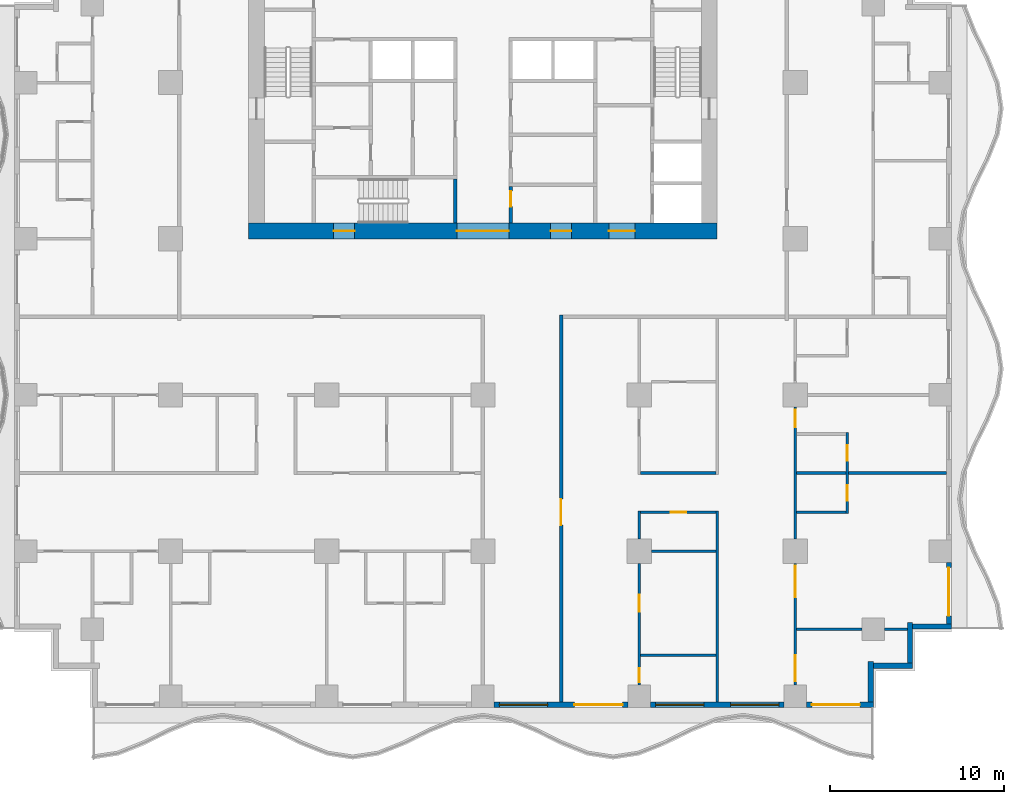
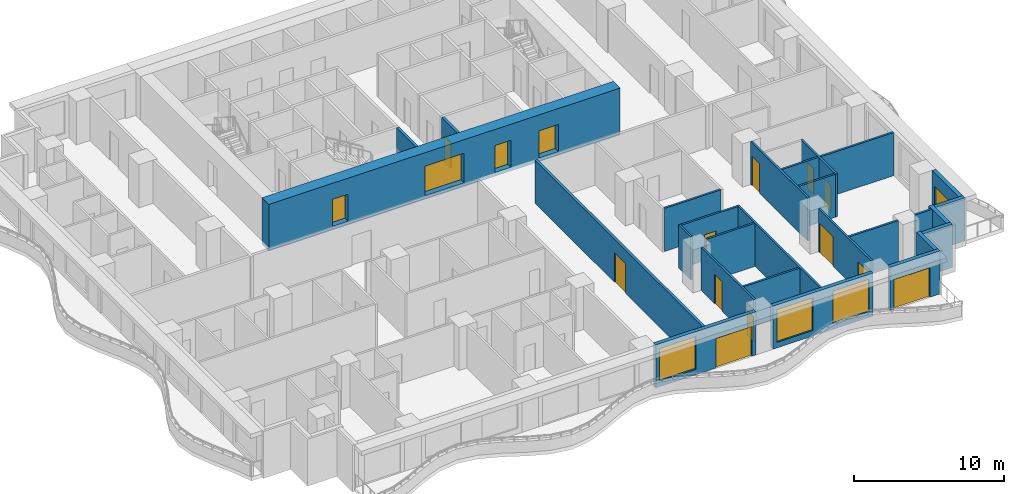
# One storey, part 3 of 14: 27 walls, 17 doors, 3 windows, 20 openings.
"""IFC4 building model written with IfcOpenShell, lengths in metres."""

import ifcopenshell
import ifcopenshell.guid

model = None  # the IFC model being written
_history = None  # IfcOwnerHistory: only IFC2X3 demands one
_inside = {}  # id of a spatial element -> (the spatial element, [elements in it])
_under = {}  # id of a project, library or spatial element -> (it, [spatial elements below it])
_declared = {}  # id of a project -> (the project, [libraries it declares])
_typed = {}  # id of a type object -> (the type object, [elements of that type])
_made_of = {}  # id of a material, layer set ... -> (it, [elements and type objects made of it])


def new_model(schema):
    """Start an empty IFC model of exactly this schema.

    Asked for "IFC4X3", IfcOpenShell would pick the latest addendum, in which some entities
    have other attributes; the version numbers below select the first issue.
    IFC2X3 requires an IfcOwnerHistory on every rooted entity: one is made here for all.
    """
    global model, _history
    if schema == "IFC4X3":
        model = ifcopenshell.file(schema_version=(4, 3, 0, 0))
    else:
        model = ifcopenshell.file(schema=schema)
    _inside.clear()
    _under.clear()
    _declared.clear()
    _typed.clear()
    _made_of.clear()
    _history = None
    if model.schema == "IFC2X3":
        org = make("IfcOrganization", Name="unknown")
        user = make(
            "IfcPersonAndOrganization",
            ThePerson=make("IfcPerson", FamilyName="unknown"),
            TheOrganization=org,
        )
        app = make(
            "IfcApplication",
            ApplicationDeveloper=org,
            Version="unknown",
            ApplicationFullName="unknown",
            ApplicationIdentifier="unknown",
        )
        _history = make(
            "IfcOwnerHistory",
            OwningUser=user,
            OwningApplication=app,
            ChangeAction="ADDED",
            CreationDate=0,
        )
    return model


def make(cls, **values):
    """One entity of the class cls with the attributes given. An attribute that is None is left unset."""
    return model.create_entity(
        cls, **{name: value for name, value in values.items() if value is not None}
    )


def rooted(cls, **values):
    """An entity with a GlobalId (a new one), such as an element, a storey or a relation."""
    return make(cls, GlobalId=ifcopenshell.guid.new(), OwnerHistory=_history, **values)


def si_unit(unit_type, name, prefix=None):
    """IfcSIUnit, for example si_unit("LENGTHUNIT", "METRE", prefix="MILLI")."""
    return make("IfcSIUnit", UnitType=unit_type, Prefix=prefix, Name=name)


def assignment(units):
    """IfcUnitAssignment: the units of a project."""
    return None if units is None else make("IfcUnitAssignment", Units=units)


def point(xyz):
    """IfcCartesianPoint."""
    return None if xyz is None else make("IfcCartesianPoint", Coordinates=xyz)


def direction(xyz):
    """IfcDirection."""
    return None if xyz is None else make("IfcDirection", DirectionRatios=xyz)


def frame(location, z_axis=None, x_axis=None):
    """IfcAxis2Placement3D, a coordinate frame: its origin and axes. An axis left out is left unset."""
    return make(
        "IfcAxis2Placement3D",
        Location=point(location),
        Axis=direction(z_axis),
        RefDirection=direction(x_axis),
    )


def frame_2d(location, x_axis=None):
    """IfcAxis2Placement2D, a coordinate frame in the plane: its origin and x axis."""
    return make(
        "IfcAxis2Placement2D", Location=point(location), RefDirection=direction(x_axis)
    )


def origin():
    """The frame at (0, 0, 0) with its axes left unset."""
    return frame((0.0, 0.0, 0.0))


def place(relative_to, where):
    """IfcLocalPlacement: puts the frame where relative to a parent placement (None: the world)."""
    return make(
        "IfcLocalPlacement", PlacementRelTo=relative_to, RelativePlacement=where
    )


def context(
    kind, dimensions, precision=None, world=None, true_north=None, identifier=None
):
    """IfcGeometricRepresentationContext, for example the 3D "Model" context."""
    return make(
        "IfcGeometricRepresentationContext",
        ContextIdentifier=identifier,
        ContextType=kind,
        CoordinateSpaceDimension=dimensions,
        Precision=precision,
        WorldCoordinateSystem=world,
        TrueNorth=true_north,
    )


def subcontext(parent, identifier, kind, view, scale=None):
    """IfcGeometricRepresentationSubContext, for example "Body" below "Model"."""
    return make(
        "IfcGeometricRepresentationSubContext",
        ContextIdentifier=identifier,
        ContextType=kind,
        ParentContext=parent,
        TargetScale=scale,
        TargetView=view,
    )


def project(units=None, contexts=None):
    """IfcProject with its units and contexts."""
    return rooted(
        "IfcProject",
        Name="project",
        RepresentationContexts=contexts,
        UnitsInContext=assignment(units),
    )


def spatial(cls, under=None, at=None, **own):
    """A site, building, storey or space (cls), placed at a placement, below another one or the project."""
    s = rooted(cls, ObjectPlacement=at, **own)
    if under is not None:
        _under.setdefault(under.id(), (under, []))[1].append(s)
    return s


def profile(cls, at=None, kind="AREA", **sizes):
    """A parametric profile (cls). Its sizes go by their IFC names, for example OverallWidth=200.0."""
    return make(cls, ProfileType=kind, Position=at, **sizes)


def rectangle(**sizes):
    """IfcRectangleProfileDef."""
    return profile("IfcRectangleProfileDef", **sizes)


def extrude(swept, where, along, depth):
    """IfcExtrudedAreaSolid: the profile swept, set in the frame where, extruded along a direction by depth."""
    return make(
        "IfcExtrudedAreaSolid",
        SweptArea=swept,
        Position=where,
        ExtrudedDirection=direction(along),
        Depth=depth,
    )


def shape(context_of_items, identifier, shape_type, items):
    """IfcShapeRepresentation: the items that make up one representation, for example the "Body"."""
    return make(
        "IfcShapeRepresentation",
        ContextOfItems=context_of_items,
        RepresentationIdentifier=identifier,
        RepresentationType=shape_type,
        Items=items,
    )


def material(Name=None, Category=None):
    """IfcMaterial."""
    return make("IfcMaterial", Name=Name, Category=Category)


def layer(
    of_material, thickness, ventilated=None, Name=None, Category=None, Priority=None
):
    """IfcMaterialLayer: one layer of a wall or slab, of a material (None: an air gap)."""
    return make(
        "IfcMaterialLayer",
        Material=of_material,
        LayerThickness=thickness,
        IsVentilated=ventilated,
        Name=Name,
        Category=Category,
        Priority=Priority,
    )


def layer_set(layers, Name=None):
    """IfcMaterialLayerSet."""
    return make("IfcMaterialLayerSet", MaterialLayers=layers, LayerSetName=Name)


def made_of(thing, what):
    """Note that an element or type object is made of a material, layer set ...; save() writes the relation."""
    if what is not None:
        _made_of.setdefault(what.id(), (what, []))[1].append(thing)
    return thing


def type_object(cls, material=None, **own):
    """A type object (cls), such as IfcWallType, which elements share."""
    return made_of(rooted(cls, **own), material)


def element(
    cls,
    number,
    at=None,
    inside=None,
    cuts=None,
    type_object=None,
    material=None,
    context=None,
    identifier="Body",
    shape_type=None,
    held_by="IfcProductDefinitionShape",
    body=None,
    shapes=None,
    **own,
):
    """One element of the class cls, such as IfcWall. Its Tag is "e" and its number.

    at: its placement. inside: the storey or other place that contains it. cuts: it is an
    opening in that element (IfcRelVoidsElement). A single representation is given by context,
    identifier, shape_type and body (its items); several are given by shapes. held_by: the class
    of the entity that holds the representations. save() writes the other relations.
    """
    e = rooted(cls, Tag="e%d" % number, ObjectPlacement=at, **own)
    if body is not None:
        shapes = [shape(context, identifier, shape_type, body)]
    if shapes is not None:
        e.Representation = make(held_by, Representations=shapes)
    if inside is not None:
        _inside.setdefault(inside.id(), (inside, []))[1].append(e)
    if cuts is not None:
        rooted(
            "IfcRelVoidsElement", RelatingBuildingElement=cuts, RelatedOpeningElement=e
        )
    if type_object is not None:
        _typed.setdefault(type_object.id(), (type_object, []))[1].append(e)
    return made_of(e, material)


def fill(opening, filler):
    """IfcRelFillsElement: the door or window that sits in an opening."""
    return rooted(
        "IfcRelFillsElement",
        RelatingOpeningElement=opening,
        RelatedBuildingElement=filler,
    )


def aggregate(whole, parts):
    """IfcRelAggregates: a whole, such as a stair, and the parts it consists of."""
    return rooted("IfcRelAggregates", RelatingObject=whole, RelatedObjects=parts)


def save(model, path):
    """Write the relations noted so far, then the file.

    IfcRelAggregates (storeys below a building ...), IfcRelContainedInSpatialStructure (elements
    in a storey), IfcRelDefinesByType, IfcRelAssociatesMaterial and IfcRelDeclares: one each for
    every whole, place, type object, material and project.
    """
    for whole, parts in _under.values():
        aggregate(whole, parts)
    for where, things in _inside.values():
        rooted(
            "IfcRelContainedInSpatialStructure",
            RelatedElements=things,
            RelatingStructure=where,
        )
    for kind, things in _typed.values():
        rooted("IfcRelDefinesByType", RelatedObjects=things, RelatingType=kind)
    for what, things in _made_of.values():
        rooted("IfcRelAssociatesMaterial", RelatedObjects=things, RelatingMaterial=what)
    for by, libraries in _declared.values():
        rooted("IfcRelDeclares", RelatingContext=by, RelatedDefinitions=libraries)
    model.write(path)


model = new_model("IFC4")

# Units and contexts
model_context = context("Model", 3, precision=1e-05, world=origin(), true_north=direction((0.0, 1.0)))
body_context = subcontext(model_context, "Body", "Model", "MODEL_VIEW")
ifc_project = project(units=[si_unit("LENGTHUNIT", "METRE"), si_unit("AREAUNIT", "SQUARE_METRE"), si_unit("VOLUMEUNIT", "CUBIC_METRE"), si_unit("PLANEANGLEUNIT", "RADIAN"), si_unit("MASSUNIT", "GRAM", prefix="KILO")], contexts=[model_context])

# Site, building, storey
site_placement = place(None, origin())
site = spatial("IfcSite", under=ifc_project, at=site_placement, CompositionType="ELEMENT")
building_placement = place(site_placement, origin())
building = spatial("IfcBuilding", under=site, at=building_placement, Name="Orbiselva Terraces", CompositionType="ELEMENT")
storey_placement = place(building_placement, frame((0.0, 0.0, 84.6)))
storey = spatial("IfcBuildingStorey", under=building, at=storey_placement, Name="L21", CompositionType="ELEMENT", Elevation=84.6)

# Wall, openings, doors
ifc_material_1 = material(Name="Concrete C80/95", Category="concrete")
ifc_layer_1 = layer(ifc_material_1, 0.9)
ifc_layer_set_1 = layer_set([ifc_layer_1], Name="Concrete C80/95")
wall_type_1 = type_object("IfcWallType", Name="CORE WALL 900", PredefinedType="SHEAR", material=ifc_layer_set_1)
wall_1_placement = place(storey_placement, frame((-13.5, 4.95, -0.3), z_axis=(0.0, 0.0, 1.0), x_axis=(1.0, 0.0, 0.0)))
wall_1 = element("IfcWall", 1, at=wall_1_placement, inside=storey, type_object=wall_type_1, Name="Core wall L21 south", PredefinedType="SHEAR", context=body_context, shape_type="SweptSolid", body=[
    extrude(rectangle(XDim=27.0, YDim=0.9, at=frame_2d((13.5, 0.0))), origin(), (0.0, 0.0, 1.0), 3.8),
])
opening_1_placement = place(wall_1_placement, frame((12.0, 0.0, 0.3)))
opening_1 = element("IfcOpeningElement", 2, at=opening_1_placement, cuts=wall_1, Name="Opening DL3000", PredefinedType="OPENING", context=body_context, shape_type="SweptSolid", body=[
    extrude(rectangle(XDim=3.0, YDim=2.4, at=frame_2d((1.5, 1.2))), frame((0.0, 0.46, 0.0), z_axis=(0.0, -1.0, 0.0), x_axis=(1.0, 0.0, 0.0)), (0.0, 0.0, 1.0), 0.92),
])
opening_2_placement = place(wall_1_placement, frame((4.9, 0.0, 0.3)))
opening_2 = element("IfcOpeningElement", 3, at=opening_2_placement, cuts=wall_1, Name="Opening DS1200", PredefinedType="OPENING", context=body_context, shape_type="SweptSolid", body=[
    extrude(rectangle(XDim=1.2, YDim=2.2, at=frame_2d((0.6, 1.1))), frame((0.0, 0.46, 0.0), z_axis=(0.0, -1.0, 0.0), x_axis=(1.0, 0.0, 0.0)), (0.0, 0.0, 1.0), 0.92),
])
opening_3_placement = place(wall_1_placement, frame((20.75, 0.0, 0.3)))
opening_3 = element("IfcOpeningElement", 4, at=opening_3_placement, cuts=wall_1, Name="Opening DF1500", PredefinedType="OPENING", context=body_context, shape_type="SweptSolid", body=[
    extrude(rectangle(XDim=1.5, YDim=2.2, at=frame_2d((0.75, 1.1))), frame((0.0, 0.46, 0.0), z_axis=(0.0, -1.0, 0.0), x_axis=(1.0, 0.0, 0.0)), (0.0, 0.0, 1.0), 0.92),
])
opening_4_placement = place(wall_1_placement, frame((17.4, 0.0, 0.3)))
opening_4 = element("IfcOpeningElement", 5, at=opening_4_placement, cuts=wall_1, Name="Opening DV1200", PredefinedType="OPENING", context=body_context, shape_type="SweptSolid", body=[
    extrude(rectangle(XDim=1.2, YDim=2.2, at=frame_2d((0.6, 1.1))), frame((0.0, 0.46, 0.0), z_axis=(0.0, -1.0, 0.0), x_axis=(1.0, 0.0, 0.0)), (0.0, 0.0, 1.0), 0.92),
])
ifc_material_2 = material(Name="Steel fire door", Category="steel")
door_type_1 = type_object("IfcDoorType", Name="FFL DOOR 1500", OperationType="DOUBLE_DOOR_SINGLE_SWING", PredefinedType="DOOR", material=ifc_material_2)
door_1_placement = place(opening_3_placement, frame((1.5, 0.0, 0.0), z_axis=(0.0, 0.0, 1.0), x_axis=(-1.0, 0.0, 0.0)))
door_1 = element("IfcDoor", 6, at=door_1_placement, inside=storey, type_object=door_type_1, Name="L21 FIRE-FIGHTING LOBBY door", OperationType="DOUBLE_DOOR_SINGLE_SWING", OverallHeight=2.2, OverallWidth=1.5, PredefinedType="DOOR", context=body_context, shape_type="SweptSolid", body=[
    extrude(rectangle(XDim=1.5, YDim=2.2, at=frame_2d((0.75, 1.1))), frame((0.0, 0.025, 0.0), z_axis=(0.0, -1.0, 0.0), x_axis=(1.0, 0.0, 0.0)), (0.0, 0.0, 1.0), 0.05),
])
fill(opening_3, door_1)
door_type_2 = type_object("IfcDoorType", Name="LOBBY DOOR 3000", OperationType="DOUBLE_DOOR_SINGLE_SWING", PredefinedType="DOOR", material=ifc_material_2)
door_2_placement = place(opening_1_placement, frame((3.0, 0.0, 0.0), z_axis=(0.0, 0.0, 1.0), x_axis=(-1.0, 0.0, 0.0)))
door_2 = element("IfcDoor", 7, at=door_2_placement, inside=storey, type_object=door_type_2, Name="L21 LIFT LOBBY door", OperationType="DOUBLE_DOOR_SINGLE_SWING", OverallHeight=2.4, OverallWidth=3.0, PredefinedType="DOOR", context=body_context, shape_type="SweptSolid", body=[
    extrude(rectangle(XDim=3.0, YDim=2.4, at=frame_2d((1.5, 1.2))), frame((0.0, 0.025, 0.0), z_axis=(0.0, -1.0, 0.0), x_axis=(1.0, 0.0, 0.0)), (0.0, 0.0, 1.0), 0.05),
])
fill(opening_1, door_2)
door_type_3 = type_object("IfcDoorType", Name="SERVICE DOOR 1200", OperationType="NOTDEFINED", PredefinedType="DOOR", material=ifc_material_2)
door_3_placement = place(opening_4_placement, frame((1.2, 0.0, 0.0), z_axis=(0.0, 0.0, 1.0), x_axis=(-1.0, 0.0, 0.0)))
door_3 = element("IfcDoor", 8, at=door_3_placement, inside=storey, type_object=door_type_3, Name="L21 ELECTRICAL RISER ROOM door", OperationType="SINGLE_SWING_RIGHT", OverallHeight=2.2, OverallWidth=1.2, PredefinedType="DOOR", context=body_context, shape_type="SweptSolid", body=[
    extrude(rectangle(XDim=1.2, YDim=2.2, at=frame_2d((0.6, 1.1))), frame((0.0, 0.025, 0.0), z_axis=(0.0, -1.0, 0.0), x_axis=(1.0, 0.0, 0.0)), (0.0, 0.0, 1.0), 0.05),
])
fill(opening_4, door_3)
door_type_4 = type_object("IfcDoorType", Name="STAIR DOOR 1200", OperationType="NOTDEFINED", PredefinedType="DOOR", material=ifc_material_2)
door_4_placement = place(opening_2_placement, frame((1.2, 0.0, 0.0), z_axis=(0.0, 0.0, 1.0), x_axis=(-1.0, 0.0, 0.0)))
door_4 = element("IfcDoor", 9, at=door_4_placement, inside=storey, type_object=door_type_4, Name="L21 EXIT STAIR S3 door", OperationType="SINGLE_SWING_LEFT", OverallHeight=2.2, OverallWidth=1.2, PredefinedType="DOOR", context=body_context, shape_type="SweptSolid", body=[
    extrude(rectangle(XDim=1.2, YDim=2.2, at=frame_2d((0.6, 1.1))), frame((0.0, 0.025, 0.0), z_axis=(0.0, -1.0, 0.0), x_axis=(1.0, 0.0, 0.0)), (0.0, 0.0, 1.0), 0.05),
])
fill(opening_2, door_4)

# Wall, opening, door
ifc_material_3 = material(Name="Masonry blockwork", Category="masonry")
ifc_layer_2 = layer(ifc_material_3, 0.2)
ifc_layer_set_2 = layer_set([ifc_layer_2], Name="Masonry blockwork")
wall_type_2 = type_object("IfcWallType", Name="CORE-WALL-PARTITION-200", PredefinedType="PARTITIONING", material=ifc_layer_set_2)
wall_2_placement = place(storey_placement, frame((1.6, 7.5, 0.0), z_axis=(0.0, 0.0, 1.0), x_axis=(0.0, -1.0, 0.0)))
wall_2 = element("IfcWall", 10, at=wall_2_placement, inside=storey, type_object=wall_type_2, Name="L21 core wall 29", PredefinedType="PARTITIONING", context=body_context, shape_type="SweptSolid", body=[
    extrude(rectangle(XDim=2.1, YDim=0.2, at=frame_2d((1.05, 0.0))), origin(), (0.0, 0.0, 1.0), 3.5),
])
opening_5_placement = place(wall_2_placement, frame((0.25, 0.0, 0.0)))
opening_5 = element("IfcOpeningElement", 11, at=opening_5_placement, cuts=wall_2, Name="Opening DR900", PredefinedType="OPENING", context=body_context, shape_type="SweptSolid", body=[
    extrude(rectangle(XDim=0.9, YDim=2.1, at=frame_2d((0.45, 1.05))), frame((0.0, 0.11, 0.0), z_axis=(0.0, -1.0, 0.0), x_axis=(1.0, 0.0, 0.0)), (0.0, 0.0, 1.0), 0.22),
])
door_type_5 = type_object("IfcDoorType", Name="ROOM DOOR 900", OperationType="NOTDEFINED", PredefinedType="DOOR", material=ifc_material_2)
door_5_placement = place(opening_5_placement, origin())
door_5 = element("IfcDoor", 12, at=door_5_placement, inside=storey, type_object=door_type_5, Name="L21 ELECTRICAL RISER ROOM door", OperationType="SINGLE_SWING_LEFT", OverallHeight=2.1, OverallWidth=0.9, PredefinedType="DOOR", context=body_context, shape_type="SweptSolid", body=[
    extrude(rectangle(XDim=0.9, YDim=2.1, at=frame_2d((0.45, 1.05))), frame((0.0, 0.025, 0.0), z_axis=(0.0, -1.0, 0.0), x_axis=(1.0, 0.0, 0.0)), (0.0, 0.0, 1.0), 0.05),
])
fill(opening_5, door_5)

# Wall
ifc_material_4 = material(Name="Concrete C60/75", Category="concrete")
ifc_layer_3 = layer(ifc_material_4, 0.2)
ifc_layer_set_3 = layer_set([ifc_layer_3], Name="Concrete C60/75")
wall_type_3 = type_object("IfcWallType", Name="CORE-WALL-SHEAR-200", PredefinedType="SHEAR", material=ifc_layer_set_3)
wall_3_placement = place(storey_placement, frame((-1.6, 5.4, 0.0), z_axis=(0.0, 0.0, 1.0), x_axis=(0.0, 1.0, 0.0)))
element("IfcWall", 13, at=wall_3_placement, inside=storey, type_object=wall_type_3, Name="L21 core wall 25", PredefinedType="SHEAR", context=body_context, shape_type="SweptSolid", body=[
    extrude(rectangle(XDim=2.55, YDim=0.2, at=frame_2d((1.275, 0.0))), origin(), (0.0, 0.0, 1.0), 3.5),
])

# Wall, openings, door, window
ifc_material_5 = material(Name="Terracotta cladding on masonry backing", Category="masonry")
ifc_layer_4 = layer(ifc_material_5, 0.3)
ifc_layer_set_4 = layer_set([ifc_layer_4], Name="Terracotta cladding on masonry backing")
wall_type_4 = type_object("IfcWallType", Name="ENV-WALL-TERRACOTTA-300", PredefinedType="SOLIDWALL", material=ifc_layer_set_4)
wall_4_placement = place(storey_placement, frame((8.35, -22.35, 0.0), z_axis=(0.0, 0.0, 1.0), x_axis=(-1.0, 0.0, 0.0)))
wall_4 = element("IfcWall", 14, at=wall_4_placement, inside=storey, type_object=wall_type_4, Name="Facade wall L21 S", PredefinedType="SOLIDWALL", context=body_context, shape_type="SweptSolid", body=[
    extrude(rectangle(XDim=7.7, YDim=0.3, at=frame_2d((3.85, 0.0))), origin(), (0.0, 0.0, 1.0), 3.5),
])
opening_6_placement = place(wall_4_placement, frame((4.625, 0.0, 0.45)))
opening_6 = element("IfcOpeningElement", 15, at=opening_6_placement, cuts=wall_4, Name="Opening WN6", PredefinedType="OPENING", context=body_context, shape_type="SweptSolid", body=[
    extrude(rectangle(XDim=2.775, YDim=2.65, at=frame_2d((1.3875, 1.325))), frame((0.0, 0.16, 0.0), z_axis=(0.0, -1.0, 0.0), x_axis=(1.0, 0.0, 0.0)), (0.0, 0.0, 1.0), 0.32),
])
opening_7_placement = place(wall_4_placement, frame((0.3, 0.0, 0.0)))
opening_7 = element("IfcOpeningElement", 16, at=opening_7_placement, cuts=wall_4, Name="Opening Z2-B-E03", PredefinedType="OPENING", context=body_context, shape_type="SweptSolid", body=[
    extrude(rectangle(XDim=2.775, YDim=2.4, at=frame_2d((1.3875, 1.2))), frame((0.0, 0.16, 0.0), z_axis=(0.0, -1.0, 0.0), x_axis=(1.0, 0.0, 0.0)), (0.0, 0.0, 1.0), 0.32),
])
ifc_material_6 = material(Name="Clear low-e glazing in aluminium frame", Category="aluminium")
door_type_6 = type_object("IfcDoorType", Name="BALCONY DOOR 2775 X 2400", OperationType="DOUBLE_DOOR_SLIDING", PredefinedType="DOOR", material=ifc_material_6)
door_6_placement = place(opening_7_placement, origin())
door_6 = element("IfcDoor", 17, at=door_6_placement, inside=storey, type_object=door_type_6, Name="Z2-B-E03", OperationType="SINGLE_SWING_LEFT", OverallHeight=2.4, OverallWidth=2.775, PredefinedType="DOOR", context=body_context, shape_type="SweptSolid", body=[
    extrude(rectangle(XDim=2.775, YDim=2.4, at=frame_2d((1.3875, 1.2))), frame((0.0, 0.025, 0.0), z_axis=(0.0, -1.0, 0.0), x_axis=(1.0, 0.0, 0.0)), (0.0, 0.0, 1.0), 0.05),
])
fill(opening_7, door_6)
window_type = type_object("IfcWindowType", Name="WINDOW 2775 X 2650 S450", PartitioningType="TRIPLE_PANEL_VERTICAL", PredefinedType="WINDOW", material=ifc_material_6)
window_1_placement = place(opening_6_placement, origin())
window_1 = element("IfcWindow", 18, at=window_1_placement, inside=storey, type_object=window_type, Name="Window L21 S", OverallHeight=2.65, OverallWidth=2.775, PartitioningType="SINGLE_PANEL", PredefinedType="WINDOW", context=body_context, shape_type="SweptSolid", body=[
    extrude(rectangle(XDim=2.775, YDim=2.65, at=frame_2d((1.3875, 1.325))), frame((0.0, 0.03, 0.0), z_axis=(0.0, -1.0, 0.0), x_axis=(1.0, 0.0, 0.0)), (0.0, 0.0, 1.0), 0.06),
])
fill(opening_6, window_1)

# Wall, openings, windows
wall_5_placement = place(storey_placement, frame((17.35, -22.35, 0.0), z_axis=(0.0, 0.0, 1.0), x_axis=(-1.0, 0.0, 0.0)))
wall_5 = element("IfcWall", 19, at=wall_5_placement, inside=storey, type_object=wall_type_4, Name="Facade wall L21 S", PredefinedType="SOLIDWALL", context=body_context, shape_type="SweptSolid", body=[
    extrude(rectangle(XDim=7.7, YDim=0.3, at=frame_2d((3.85, 0.0))), origin(), (0.0, 0.0, 1.0), 3.5),
])
opening_8_placement = place(wall_5_placement, frame((4.625, 0.0, 0.45)))
opening_8 = element("IfcOpeningElement", 20, at=opening_8_placement, cuts=wall_5, Name="Opening WN6", PredefinedType="OPENING", context=body_context, shape_type="SweptSolid", body=[
    extrude(rectangle(XDim=2.775, YDim=2.65, at=frame_2d((1.3875, 1.325))), frame((0.0, 0.16, 0.0), z_axis=(0.0, -1.0, 0.0), x_axis=(1.0, 0.0, 0.0)), (0.0, 0.0, 1.0), 0.32),
])
opening_9_placement = place(wall_5_placement, frame((0.3, 0.0, 0.45)))
opening_9 = element("IfcOpeningElement", 21, at=opening_9_placement, cuts=wall_5, Name="Opening WN6", PredefinedType="OPENING", context=body_context, shape_type="SweptSolid", body=[
    extrude(rectangle(XDim=2.775, YDim=2.65, at=frame_2d((1.3875, 1.325))), frame((0.0, 0.16, 0.0), z_axis=(0.0, -1.0, 0.0), x_axis=(1.0, 0.0, 0.0)), (0.0, 0.0, 1.0), 0.32),
])
window_2_placement = place(opening_8_placement, origin())
window_2 = element("IfcWindow", 22, at=window_2_placement, inside=storey, type_object=window_type, Name="Window L21 S", OverallHeight=2.65, OverallWidth=2.775, PartitioningType="SINGLE_PANEL", PredefinedType="WINDOW", context=body_context, shape_type="SweptSolid", body=[
    extrude(rectangle(XDim=2.775, YDim=2.65, at=frame_2d((1.3875, 1.325))), frame((0.0, 0.03, 0.0), z_axis=(0.0, -1.0, 0.0), x_axis=(1.0, 0.0, 0.0)), (0.0, 0.0, 1.0), 0.06),
])
fill(opening_8, window_2)
window_3_placement = place(opening_9_placement, origin())
window_3 = element("IfcWindow", 23, at=window_3_placement, inside=storey, type_object=window_type, Name="Window L21 S", OverallHeight=2.65, OverallWidth=2.775, PartitioningType="SINGLE_PANEL", PredefinedType="WINDOW", context=body_context, shape_type="SweptSolid", body=[
    extrude(rectangle(XDim=2.775, YDim=2.65, at=frame_2d((1.3875, 1.325))), frame((0.0, 0.03, 0.0), z_axis=(0.0, -1.0, 0.0), x_axis=(1.0, 0.0, 0.0)), (0.0, 0.0, 1.0), 0.06),
])
fill(opening_9, window_3)

# Wall, opening, door
wall_6_placement = place(storey_placement, frame((22.5, -22.35, 0.0), z_axis=(0.0, 0.0, 1.0), x_axis=(-1.0, 0.0, 0.0)))
wall_6 = element("IfcWall", 24, at=wall_6_placement, inside=storey, type_object=wall_type_4, Name="Facade wall L21 S", PredefinedType="SOLIDWALL", context=body_context, shape_type="SweptSolid", body=[
    extrude(rectangle(XDim=3.85, YDim=0.3, at=frame_2d((1.925, 0.0))), origin(), (0.0, 0.0, 1.0), 3.5),
])
opening_10_placement = place(wall_6_placement, frame((0.775, 0.0, 0.0)))
opening_10 = element("IfcOpeningElement", 25, at=opening_10_placement, cuts=wall_6, Name="Opening Z2-B-E15", PredefinedType="OPENING", context=body_context, shape_type="SweptSolid", body=[
    extrude(rectangle(XDim=2.775, YDim=2.4, at=frame_2d((1.3875, 1.2))), frame((0.0, 0.16, 0.0), z_axis=(0.0, -1.0, 0.0), x_axis=(1.0, 0.0, 0.0)), (0.0, 0.0, 1.0), 0.32),
])
door_7_placement = place(opening_10_placement, origin())
door_7 = element("IfcDoor", 26, at=door_7_placement, inside=storey, type_object=door_type_6, Name="Z2-B-E15", OperationType="SINGLE_SWING_LEFT", OverallHeight=2.4, OverallWidth=2.775, PredefinedType="DOOR", context=body_context, shape_type="SweptSolid", body=[
    extrude(rectangle(XDim=2.775, YDim=2.4, at=frame_2d((1.3875, 1.2))), frame((0.0, 0.025, 0.0), z_axis=(0.0, -1.0, 0.0), x_axis=(1.0, 0.0, 0.0)), (0.0, 0.0, 1.0), 0.05),
])
fill(opening_10, door_7)

# Walls
wall_7_placement = place(storey_placement, frame((22.35, -19.85, 0.0), z_axis=(0.0, 0.0, 1.0), x_axis=(0.0, -1.0, 0.0)))
element("IfcWall", 27, at=wall_7_placement, inside=storey, type_object=wall_type_4, Name="Facade wall L21 STEP", PredefinedType="SOLIDWALL", context=body_context, shape_type="SweptSolid", body=[
    extrude(rectangle(XDim=2.35, YDim=0.3, at=frame_2d((1.175, 0.0))), origin(), (0.0, 0.0, 1.0), 3.5),
])
wall_8_placement = place(storey_placement, frame((24.75, -20.1, 0.0), z_axis=(0.0, 0.0, 1.0), x_axis=(-1.0, 0.0, 0.0)))
element("IfcWall", 28, at=wall_8_placement, inside=storey, type_object=wall_type_4, Name="Facade wall L21 STEP", PredefinedType="SOLIDWALL", context=body_context, shape_type="SweptSolid", body=[
    extrude(rectangle(XDim=2.25, YDim=0.3, at=frame_2d((1.125, 0.0))), origin(), (0.0, 0.0, 1.0), 3.5),
])
wall_9_placement = place(storey_placement, frame((24.6, -17.6, 0.0), z_axis=(0.0, 0.0, 1.0), x_axis=(0.0, -1.0, 0.0)))
element("IfcWall", 29, at=wall_9_placement, inside=storey, type_object=wall_type_4, Name="Facade wall L21 STEP", PredefinedType="SOLIDWALL", context=body_context, shape_type="SweptSolid", body=[
    extrude(rectangle(XDim=2.35, YDim=0.3, at=frame_2d((1.175, 0.0))), origin(), (0.0, 0.0, 1.0), 3.5),
])
wall_10_placement = place(storey_placement, frame((27.0, -17.85, 0.0), z_axis=(0.0, 0.0, 1.0), x_axis=(-1.0, 0.0, 0.0)))
element("IfcWall", 30, at=wall_10_placement, inside=storey, type_object=wall_type_4, Name="Facade wall L21 STEP", PredefinedType="SOLIDWALL", context=body_context, shape_type="SweptSolid", body=[
    extrude(rectangle(XDim=2.25, YDim=0.3, at=frame_2d((1.125, 0.0))), origin(), (0.0, 0.0, 1.0), 3.5),
])

# Wall, opening, door
wall_11_placement = place(storey_placement, frame((26.85, -14.15, 0.0), z_axis=(0.0, 0.0, 1.0), x_axis=(0.0, -1.0, 0.0)))
wall_11 = element("IfcWall", 31, at=wall_11_placement, inside=storey, type_object=wall_type_4, Name="Facade wall L21 E", PredefinedType="SOLIDWALL", context=body_context, shape_type="SweptSolid", body=[
    extrude(rectangle(XDim=3.55, YDim=0.3, at=frame_2d((1.775, 0.0))), origin(), (0.0, 0.0, 1.0), 3.5),
])
opening_11_placement = place(wall_11_placement, frame((0.3, 0.0, 0.0)))
opening_11 = element("IfcOpeningElement", 32, at=opening_11_placement, cuts=wall_11, Name="Opening Z2-B-E05", PredefinedType="OPENING", context=body_context, shape_type="SweptSolid", body=[
    extrude(rectangle(XDim=2.775, YDim=2.4, at=frame_2d((1.3875, 1.2))), frame((0.0, 0.16, 0.0), z_axis=(0.0, -1.0, 0.0), x_axis=(1.0, 0.0, 0.0)), (0.0, 0.0, 1.0), 0.32),
])
door_8_placement = place(opening_11_placement, origin())
door_8 = element("IfcDoor", 33, at=door_8_placement, inside=storey, type_object=door_type_6, Name="Z2-B-E05", OperationType="SINGLE_SWING_LEFT", OverallHeight=2.4, OverallWidth=2.775, PredefinedType="DOOR", context=body_context, shape_type="SweptSolid", body=[
    extrude(rectangle(XDim=2.775, YDim=2.4, at=frame_2d((1.3875, 1.2))), frame((0.0, 0.025, 0.0), z_axis=(0.0, -1.0, 0.0), x_axis=(1.0, 0.0, 0.0)), (0.0, 0.0, 1.0), 0.05),
])
fill(opening_11, door_8)

ifc_material_7 = material(Name="Plasterboard on steel stud partition", Category="steel")
ifc_layer_5 = layer(ifc_material_7, 0.2)
ifc_layer_set_5 = layer_set([ifc_layer_5], Name="Plasterboard on steel stud partition")
wall_type_5 = type_object("IfcWallType", Name="UNIT-ENTRANCE-WALL-200", PredefinedType="PARTITIONING", material=ifc_layer_set_5)
wall_12_placement = place(storey_placement, frame((4.5, 0.1, 0.0), z_axis=(0.0, 0.0, 1.0), x_axis=(0.0, -1.0, 0.0)))
wall_12 = element("IfcWall", 34, at=wall_12_placement, inside=storey, type_object=wall_type_5, Name="PARTITION L21-068", PredefinedType="PARTITIONING", context=body_context, shape_type="SweptSolid", body=[
    extrude(rectangle(XDim=22.3, YDim=0.2, at=frame_2d((11.15, 0.0))), origin(), (0.0, 0.0, 1.0), 3.5),
])
opening_12_placement = place(wall_12_placement, frame((10.6, 0.0, 0.0)))
opening_12 = element("IfcOpeningElement", 35, at=opening_12_placement, cuts=wall_12, Name="Opening Z2-B-32", PredefinedType="OPENING", context=body_context, shape_type="SweptSolid", body=[
    extrude(rectangle(XDim=1.5, YDim=2.4, at=frame_2d((0.75, 1.2))), frame((0.0, 0.11, 0.0), z_axis=(0.0, -1.0, 0.0), x_axis=(1.0, 0.0, 0.0)), (0.0, 0.0, 1.0), 0.22),
])
ifc_material_8 = material(Name="Painted timber door leaf", Category="wood")
door_type_7 = type_object("IfcDoorType", Name="ENTRANCE DOUBLE DOOR 1500", OperationType="NOTDEFINED", PredefinedType="DOOR", material=ifc_material_8)
door_9_placement = place(opening_12_placement, origin())
door_9 = element("IfcDoor", 36, at=door_9_placement, inside=storey, type_object=door_type_7, Name="Z2-B-32", OperationType="DOUBLE_DOOR_SINGLE_SWING", OverallHeight=2.4, OverallWidth=1.5, PredefinedType="DOOR", context=body_context, shape_type="SweptSolid", body=[
    extrude(rectangle(XDim=1.5, YDim=2.4, at=frame_2d((0.75, 1.2))), frame((0.0, 0.025, 0.0), z_axis=(0.0, -1.0, 0.0), x_axis=(1.0, 0.0, 0.0)), (0.0, 0.0, 1.0), 0.05),
])
fill(opening_12, door_9)

# Walls
ifc_layer_6 = layer(ifc_material_7, 0.15)
ifc_layer_set_6 = layer_set([ifc_layer_6], Name="Plasterboard on steel stud partition")
wall_type_6 = type_object("IfcWallType", Name="UNIT-PARTITION-150", PredefinedType="PARTITIONING", material=ifc_layer_set_6)
wall_13_placement = place(storey_placement, frame((9.075, -19.5, 0.0), z_axis=(0.0, 0.0, 1.0), x_axis=(1.0, 0.0, 0.0)))
element("IfcWall", 37, at=wall_13_placement, inside=storey, type_object=wall_type_6, Name="PARTITION L21-001", PredefinedType="PARTITIONING", context=body_context, shape_type="SweptSolid", body=[
    extrude(rectangle(XDim=4.35, YDim=0.15, at=frame_2d((2.175, 0.0))), origin(), (0.0, 0.0, 1.0), 3.5),
])
wall_14_placement = place(storey_placement, frame((18.075, -18.0, 0.0), z_axis=(0.0, 0.0, 1.0), x_axis=(1.0, 0.0, 0.0)))
element("IfcWall", 38, at=wall_14_placement, inside=storey, type_object=wall_type_6, Name="PARTITION L21-002", PredefinedType="PARTITIONING", context=body_context, shape_type="SweptSolid", body=[
    extrude(rectangle(XDim=3.775, YDim=0.15, at=frame_2d((1.8875, 0.0))), origin(), (0.0, 0.0, 1.0), 3.5),
])
wall_15_placement = place(storey_placement, frame((23.15, -18.0, 0.0), z_axis=(0.0, 0.0, 1.0), x_axis=(1.0, 0.0, 0.0)))
element("IfcWall", 39, at=wall_15_placement, inside=storey, type_object=wall_type_6, Name="PARTITION L21-003", PredefinedType="PARTITIONING", context=body_context, shape_type="SweptSolid", body=[
    extrude(rectangle(XDim=1.3, YDim=0.15, at=frame_2d((0.65, 0.0))), origin(), (0.0, 0.0, 1.0), 3.5),
])
wall_16_placement = place(storey_placement, frame((9.7, -13.5, 0.0), z_axis=(0.0, 0.0, 1.0), x_axis=(1.0, 0.0, 0.0)))
element("IfcWall", 40, at=wall_16_placement, inside=storey, type_object=wall_type_6, Name="PARTITION L21-011", PredefinedType="PARTITIONING", context=body_context, shape_type="SweptSolid", body=[
    extrude(rectangle(XDim=3.725, YDim=0.15, at=frame_2d((1.8625, 0.0))), origin(), (0.0, 0.0, 1.0), 3.5),
])

# Wall, opening, door
wall_17_placement = place(storey_placement, frame((13.425, -11.25, 0.0), z_axis=(0.0, 0.0, 1.0), x_axis=(-1.0, 0.0, 0.0)))
wall_17 = element("IfcWall", 41, at=wall_17_placement, inside=storey, type_object=wall_type_6, Name="PARTITION L21-012", PredefinedType="PARTITIONING", context=body_context, shape_type="SweptSolid", body=[
    extrude(rectangle(XDim=4.35, YDim=0.15, at=frame_2d((2.175, 0.0))), origin(), (0.0, 0.0, 1.0), 3.5),
])
opening_13_placement = place(wall_17_placement, frame((1.7, 0.0, 0.0)))
opening_13 = element("IfcOpeningElement", 42, at=opening_13_placement, cuts=wall_17, Name="Opening Z2-B-35", PredefinedType="OPENING", context=body_context, shape_type="SweptSolid", body=[
    extrude(rectangle(XDim=0.9, YDim=2.1, at=frame_2d((0.45, 1.05))), frame((0.0, 0.085, 0.0), z_axis=(0.0, -1.0, 0.0), x_axis=(1.0, 0.0, 0.0)), (0.0, 0.0, 1.0), 0.17),
])
door_type_8 = type_object("IfcDoorType", Name="BATH DOOR 900", OperationType="NOTDEFINED", PredefinedType="DOOR", material=ifc_material_8)
door_10_placement = place(opening_13_placement, origin())
door_10 = element("IfcDoor", 43, at=door_10_placement, inside=storey, type_object=door_type_8, Name="Z2-B-35", OperationType="SINGLE_SWING_LEFT", OverallHeight=2.1, OverallWidth=0.9, PredefinedType="DOOR", context=body_context, shape_type="SweptSolid", body=[
    extrude(rectangle(XDim=0.9, YDim=2.1, at=frame_2d((0.45, 1.05))), frame((0.0, 0.025, 0.0), z_axis=(0.0, -1.0, 0.0), x_axis=(1.0, 0.0, 0.0)), (0.0, 0.0, 1.0), 0.05),
])
fill(opening_13, door_10)

# Walls
wall_18_placement = place(storey_placement, frame((18.075, -11.25, 0.0), z_axis=(0.0, 0.0, 1.0), x_axis=(1.0, 0.0, 0.0)))
element("IfcWall", 44, at=wall_18_placement, inside=storey, type_object=wall_type_6, Name="PARTITION L21-013", PredefinedType="PARTITIONING", context=body_context, shape_type="SweptSolid", body=[
    extrude(rectangle(XDim=2.85, YDim=0.15, at=frame_2d((1.425, 0.0))), origin(), (0.0, 0.0, 1.0), 3.5),
])
wall_19_placement = place(storey_placement, frame((9.075, -9.0, 0.0), z_axis=(0.0, 0.0, 1.0), x_axis=(1.0, 0.0, 0.0)))
element("IfcWall", 45, at=wall_19_placement, inside=storey, type_object=wall_type_6, Name="PARTITION L21-016", PredefinedType="PARTITIONING", context=body_context, shape_type="SweptSolid", body=[
    extrude(rectangle(XDim=4.35, YDim=0.15, at=frame_2d((2.175, 0.0))), origin(), (0.0, 0.0, 1.0), 3.5),
])
wall_20_placement = place(storey_placement, frame((18.075, -9.0, 0.0), z_axis=(0.0, 0.0, 1.0), x_axis=(1.0, 0.0, 0.0)))
element("IfcWall", 46, at=wall_20_placement, inside=storey, type_object=wall_type_6, Name="PARTITION L21-017", PredefinedType="PARTITIONING", context=body_context, shape_type="SweptSolid", body=[
    extrude(rectangle(XDim=2.85, YDim=0.15, at=frame_2d((1.425, 0.0))), origin(), (0.0, 0.0, 1.0), 3.5),
])
wall_21_placement = place(storey_placement, frame((21.075, -9.0, 0.0), z_axis=(0.0, 0.0, 1.0), x_axis=(1.0, 0.0, 0.0)))
element("IfcWall", 47, at=wall_21_placement, inside=storey, type_object=wall_type_6, Name="PARTITION L21-018", PredefinedType="PARTITIONING", context=body_context, shape_type="SweptSolid", body=[
    extrude(rectangle(XDim=5.625, YDim=0.15, at=frame_2d((2.8125, 0.0))), origin(), (0.0, 0.0, 1.0), 3.5),
])

# Wall, openings, doors
wall_22_placement = place(storey_placement, frame((9.0, -14.2, 0.0), z_axis=(0.0, 0.0, 1.0), x_axis=(0.0, -1.0, 0.0)))
wall_22 = element("IfcWall", 48, at=wall_22_placement, inside=storey, type_object=wall_type_6, Name="PARTITION L21-069", PredefinedType="PARTITIONING", context=body_context, shape_type="SweptSolid", body=[
    extrude(rectangle(XDim=7.0, YDim=0.15, at=frame_2d((3.5, 0.0))), origin(), (0.0, 0.0, 1.0), 3.5),
])
opening_14_placement = place(wall_22_placement, frame((6.05, 0.0, 0.0)))
opening_14 = element("IfcOpeningElement", 49, at=opening_14_placement, cuts=wall_22, Name="Opening Z2-B-33", PredefinedType="OPENING", context=body_context, shape_type="SweptSolid", body=[
    extrude(rectangle(XDim=0.8, YDim=2.0, at=frame_2d((0.4, 1.0))), frame((0.0, 0.085, 0.0), z_axis=(0.0, -1.0, 0.0), x_axis=(1.0, 0.0, 0.0)), (0.0, 0.0, 1.0), 0.17),
])
opening_15_placement = place(wall_22_placement, frame((1.8, 0.0, 0.0)))
opening_15 = element("IfcOpeningElement", 50, at=opening_15_placement, cuts=wall_22, Name="Opening Z2-B-34", PredefinedType="OPENING", context=body_context, shape_type="SweptSolid", body=[
    extrude(rectangle(XDim=1.0, YDim=2.4, at=frame_2d((0.5, 1.2))), frame((0.0, 0.085, 0.0), z_axis=(0.0, -1.0, 0.0), x_axis=(1.0, 0.0, 0.0)), (0.0, 0.0, 1.0), 0.17),
])
door_type_9 = type_object("IfcDoorType", Name="ROOM DOOR 1000", OperationType="NOTDEFINED", PredefinedType="DOOR", material=ifc_material_8)
door_11_placement = place(opening_15_placement, origin())
door_11 = element("IfcDoor", 51, at=door_11_placement, inside=storey, type_object=door_type_9, Name="Z2-B-34", OperationType="SINGLE_SWING_LEFT", OverallHeight=2.4, OverallWidth=1.0, PredefinedType="DOOR", context=body_context, shape_type="SweptSolid", body=[
    extrude(rectangle(XDim=1.0, YDim=2.4, at=frame_2d((0.5, 1.2))), frame((0.0, 0.025, 0.0), z_axis=(0.0, -1.0, 0.0), x_axis=(1.0, 0.0, 0.0)), (0.0, 0.0, 1.0), 0.05),
])
fill(opening_15, door_11)
door_type_10 = type_object("IfcDoorType", Name="STORE DOOR 800", OperationType="NOTDEFINED", PredefinedType="DOOR", material=ifc_material_8)
door_12_placement = place(opening_14_placement, origin())
door_12 = element("IfcDoor", 52, at=door_12_placement, inside=storey, type_object=door_type_10, Name="Z2-B-33", OperationType="SINGLE_SWING_RIGHT", OverallHeight=2.0, OverallWidth=0.8, PredefinedType="DOOR", context=body_context, shape_type="SweptSolid", body=[
    extrude(rectangle(XDim=0.8, YDim=2.0, at=frame_2d((0.4, 1.0))), frame((0.0, 0.025, 0.0), z_axis=(0.0, -1.0, 0.0), x_axis=(1.0, 0.0, 0.0)), (0.0, 0.0, 1.0), 0.05),
])
fill(opening_14, door_12)

# Walls
wall_23_placement = place(storey_placement, frame((9.0, -12.8, 0.0), z_axis=(0.0, 0.0, 1.0), x_axis=(0.0, 1.0, 0.0)))
element("IfcWall", 53, at=wall_23_placement, inside=storey, type_object=wall_type_6, Name="PARTITION L21-070", PredefinedType="PARTITIONING", context=body_context, shape_type="SweptSolid", body=[
    extrude(rectangle(XDim=1.625, YDim=0.15, at=frame_2d((0.8125, 0.0))), origin(), (0.0, 0.0, 1.0), 3.5),
])
wall_24_placement = place(storey_placement, frame((13.5, -22.2, 0.0), z_axis=(0.0, 0.0, 1.0), x_axis=(0.0, 1.0, 0.0)))
element("IfcWall", 54, at=wall_24_placement, inside=storey, type_object=wall_type_6, Name="PARTITION L21-073", PredefinedType="PARTITIONING", context=body_context, shape_type="SweptSolid", body=[
    extrude(rectangle(XDim=11.025, YDim=0.15, at=frame_2d((5.5125, 0.0))), origin(), (0.0, 0.0, 1.0), 3.5),
])

# Wall, openings, doors
wall_25_placement = place(storey_placement, frame((18.0, -14.2, 0.0), z_axis=(0.0, 0.0, 1.0), x_axis=(0.0, -1.0, 0.0)))
wall_25 = element("IfcWall", 55, at=wall_25_placement, inside=storey, type_object=wall_type_6, Name="PARTITION L21-078", PredefinedType="PARTITIONING", context=body_context, shape_type="SweptSolid", body=[
    extrude(rectangle(XDim=7.0, YDim=0.15, at=frame_2d((3.5, 0.0))), origin(), (0.0, 0.0, 1.0), 3.5),
])
opening_16_placement = place(wall_25_placement, frame((5.3, 0.0, 0.0)))
opening_16 = element("IfcOpeningElement", 56, at=opening_16_placement, cuts=wall_25, Name="Opening Z2-B-38", PredefinedType="OPENING", context=body_context, shape_type="SweptSolid", body=[
    extrude(rectangle(XDim=1.5, YDim=2.4, at=frame_2d((0.75, 1.2))), frame((0.0, 0.085, 0.0), z_axis=(0.0, -1.0, 0.0), x_axis=(1.0, 0.0, 0.0)), (0.0, 0.0, 1.0), 0.17),
])
opening_17_placement = place(wall_25_placement, frame((0.15, 0.0, 0.0)))
opening_17 = element("IfcOpeningElement", 57, at=opening_17_placement, cuts=wall_25, Name="Opening Z2-B-39", PredefinedType="OPENING", context=body_context, shape_type="SweptSolid", body=[
    extrude(rectangle(XDim=1.8, YDim=2.4, at=frame_2d((0.9, 1.2))), frame((0.0, 0.085, 0.0), z_axis=(0.0, -1.0, 0.0), x_axis=(1.0, 0.0, 0.0)), (0.0, 0.0, 1.0), 0.17),
])
door_type_11 = type_object("IfcDoorType", Name="DOUBLE DOOR 1500", OperationType="NOTDEFINED", PredefinedType="DOOR", material=ifc_material_8)
door_13_placement = place(opening_16_placement, origin())
door_13 = element("IfcDoor", 58, at=door_13_placement, inside=storey, type_object=door_type_11, Name="Z2-B-38", OperationType="DOUBLE_DOOR_SINGLE_SWING", OverallHeight=2.4, OverallWidth=1.5, PredefinedType="DOOR", context=body_context, shape_type="SweptSolid", body=[
    extrude(rectangle(XDim=1.5, YDim=2.4, at=frame_2d((0.75, 1.2))), frame((0.0, 0.025, 0.0), z_axis=(0.0, -1.0, 0.0), x_axis=(1.0, 0.0, 0.0)), (0.0, 0.0, 1.0), 0.05),
])
fill(opening_16, door_13)
door_type_12 = type_object("IfcDoorType", Name="DOUBLE DOOR 1800", OperationType="NOTDEFINED", PredefinedType="DOOR", material=ifc_material_8)
door_14_placement = place(opening_17_placement, origin())
door_14 = element("IfcDoor", 59, at=door_14_placement, inside=storey, type_object=door_type_12, Name="Z2-B-39", OperationType="DOUBLE_DOOR_SINGLE_SWING", OverallHeight=2.4, OverallWidth=1.8, PredefinedType="DOOR", context=body_context, shape_type="SweptSolid", body=[
    extrude(rectangle(XDim=1.8, YDim=2.4, at=frame_2d((0.9, 1.2))), frame((0.0, 0.025, 0.0), z_axis=(0.0, -1.0, 0.0), x_axis=(1.0, 0.0, 0.0)), (0.0, 0.0, 1.0), 0.05),
])
fill(opening_17, door_14)

# Wall, opening, door
wall_26_placement = place(storey_placement, frame((18.0, -5.2, 0.0), z_axis=(0.0, 0.0, 1.0), x_axis=(0.0, -1.0, 0.0)))
wall_26 = element("IfcWall", 60, at=wall_26_placement, inside=storey, type_object=wall_type_6, Name="PARTITION L21-079", PredefinedType="PARTITIONING", context=body_context, shape_type="SweptSolid", body=[
    extrude(rectangle(XDim=7.6, YDim=0.15, at=frame_2d((3.8, 0.0))), origin(), (0.0, 0.0, 1.0), 3.5),
])
opening_18_placement = place(wall_26_placement, frame((0.15, 0.0, 0.0)))
opening_18 = element("IfcOpeningElement", 61, at=opening_18_placement, cuts=wall_26, Name="Opening Z2-B-41", PredefinedType="OPENING", context=body_context, shape_type="SweptSolid", body=[
    extrude(rectangle(XDim=1.0, YDim=2.4, at=frame_2d((0.5, 1.2))), frame((0.0, 0.085, 0.0), z_axis=(0.0, -1.0, 0.0), x_axis=(1.0, 0.0, 0.0)), (0.0, 0.0, 1.0), 0.17),
])
door_15_placement = place(opening_18_placement, origin())
door_15 = element("IfcDoor", 62, at=door_15_placement, inside=storey, type_object=door_type_9, Name="Z2-B-41", OperationType="SINGLE_SWING_LEFT", OverallHeight=2.4, OverallWidth=1.0, PredefinedType="DOOR", context=body_context, shape_type="SweptSolid", body=[
    extrude(rectangle(XDim=1.0, YDim=2.4, at=frame_2d((0.5, 1.2))), frame((0.0, 0.025, 0.0), z_axis=(0.0, -1.0, 0.0), x_axis=(1.0, 0.0, 0.0)), (0.0, 0.0, 1.0), 0.05),
])
fill(opening_18, door_15)

# Wall, openings, doors
wall_27_placement = place(storey_placement, frame((21.0, -11.325, 0.0), z_axis=(0.0, 0.0, 1.0), x_axis=(0.0, 1.0, 0.0)))
wall_27 = element("IfcWall", 63, at=wall_27_placement, inside=storey, type_object=wall_type_6, Name="PARTITION L21-081", PredefinedType="PARTITIONING", context=body_context, shape_type="SweptSolid", body=[
    extrude(rectangle(XDim=4.65, YDim=0.15, at=frame_2d((2.325, 0.0))), origin(), (0.0, 0.0, 1.0), 3.5),
])
opening_19_placement = place(wall_27_placement, frame((0.725, 0.0, 0.0)))
opening_19 = element("IfcOpeningElement", 64, at=opening_19_placement, cuts=wall_27, Name="Opening Z2-B-40", PredefinedType="OPENING", context=body_context, shape_type="SweptSolid", body=[
    extrude(rectangle(XDim=0.9, YDim=2.1, at=frame_2d((0.45, 1.05))), frame((0.0, 0.085, 0.0), z_axis=(0.0, -1.0, 0.0), x_axis=(1.0, 0.0, 0.0)), (0.0, 0.0, 1.0), 0.17),
])
opening_20_placement = place(wall_27_placement, frame((3.025, 0.0, 0.0)))
opening_20 = element("IfcOpeningElement", 65, at=opening_20_placement, cuts=wall_27, Name="Opening Z2-B-42", PredefinedType="OPENING", context=body_context, shape_type="SweptSolid", body=[
    extrude(rectangle(XDim=0.9, YDim=2.1, at=frame_2d((0.45, 1.05))), frame((0.0, 0.085, 0.0), z_axis=(0.0, -1.0, 0.0), x_axis=(1.0, 0.0, 0.0)), (0.0, 0.0, 1.0), 0.17),
])
door_16_placement = place(opening_19_placement, origin())
door_16 = element("IfcDoor", 66, at=door_16_placement, inside=storey, type_object=door_type_8, Name="Z2-B-40", OperationType="SINGLE_SWING_LEFT", OverallHeight=2.1, OverallWidth=0.9, PredefinedType="DOOR", context=body_context, shape_type="SweptSolid", body=[
    extrude(rectangle(XDim=0.9, YDim=2.1, at=frame_2d((0.45, 1.05))), frame((0.0, 0.025, 0.0), z_axis=(0.0, -1.0, 0.0), x_axis=(1.0, 0.0, 0.0)), (0.0, 0.0, 1.0), 0.05),
])
fill(opening_19, door_16)
door_17_placement = place(opening_20_placement, origin())
door_17 = element("IfcDoor", 67, at=door_17_placement, inside=storey, type_object=door_type_8, Name="Z2-B-42", OperationType="SINGLE_SWING_RIGHT", OverallHeight=2.1, OverallWidth=0.9, PredefinedType="DOOR", context=body_context, shape_type="SweptSolid", body=[
    extrude(rectangle(XDim=0.9, YDim=2.1, at=frame_2d((0.45, 1.05))), frame((0.0, 0.025, 0.0), z_axis=(0.0, -1.0, 0.0), x_axis=(1.0, 0.0, 0.0)), (0.0, 0.0, 1.0), 0.05),
])
fill(opening_20, door_17)

save(model, "model.ifc")
